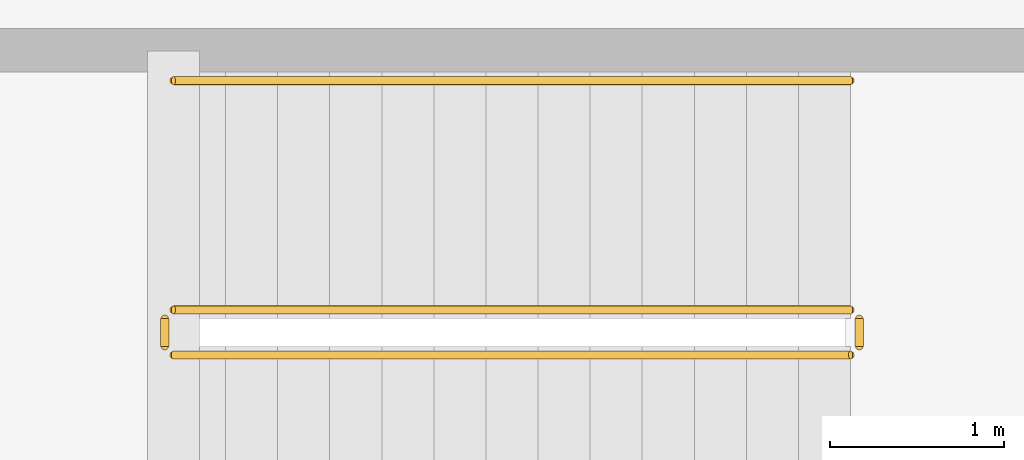
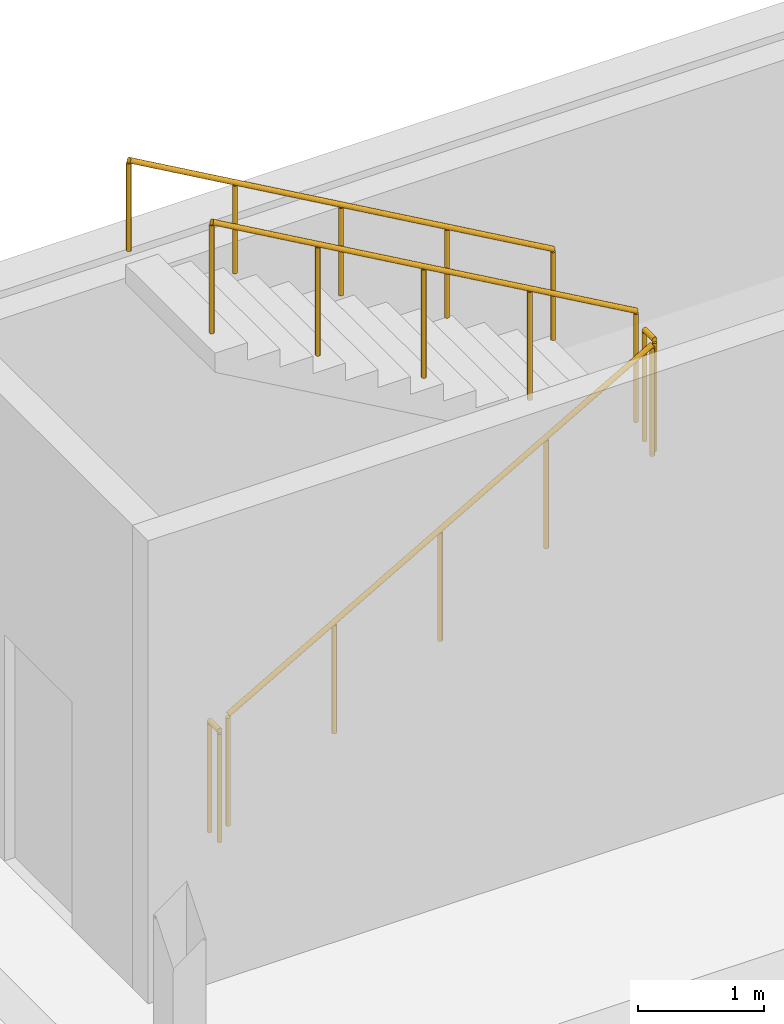
# One storey, part 108 of 125: 5 railings.
"""IFC4 building model written with IfcOpenShell, lengths in metres."""

from ifc_helpers import new_model, si_unit, direction, frame, origin, origin_2d, place, context, subcontext, project, spatial, circle, extrude, material, layer, layer_set, type_object, element, save


model = new_model("IFC4")

# Units and contexts
model_context = context("Model", 3, precision=1e-05, world=origin(), true_north=direction((0.0, 1.0)))
body_context = subcontext(model_context, "Body", "Model", "MODEL_VIEW")
ifc_project = project(units=[si_unit("LENGTHUNIT", "METRE"), si_unit("AREAUNIT", "SQUARE_METRE"), si_unit("VOLUMEUNIT", "CUBIC_METRE"), si_unit("PLANEANGLEUNIT", "RADIAN"), si_unit("MASSUNIT", "GRAM", prefix="KILO")], contexts=[model_context])

# Site, building, storey
site_placement = place(None, origin())
site = spatial("IfcSite", under=ifc_project, at=site_placement, CompositionType="ELEMENT")
building_placement = place(site_placement, origin())
building = spatial("IfcBuilding", under=site, at=building_placement, Name="Dornvale Research Institute", CompositionType="ELEMENT")
storey_placement = place(building_placement, frame((0.0, 0.0, 5.39990234375)))
storey = spatial("IfcBuildingStorey", under=building, at=storey_placement, Name="L01", CompositionType="ELEMENT", Elevation=5.39990234375)

# Railings
ifc_material_1 = material(Name="Galvanized Painted Tubular Steel Stair Rail", Category="steel")
ifc_layer_1 = layer(ifc_material_1, 0.050048828125)
ifc_layer_set_1 = layer_set([ifc_layer_1], Name="Galvanized Painted Tubular Steel Stair Rail")
railing_type_1 = type_object("IfcRailingType", Name="Railing_Stair_Guard_1100", PredefinedType="GUARDRAIL", material=ifc_layer_set_1)
railing_1_placement = place(storey_placement, frame((48.820068359375, 82.969970703125, 0.171630859375)))
element("IfcRailing", 1, at=railing_1_placement, inside=storey, type_object=railing_type_1, Name="L01 ST-8 stair guard 1", PredefinedType="GUARDRAIL", context=body_context, shape_type="SweptSolid", body=[
    extrude(circle(Radius=0.02392578125, at=origin_2d()), frame((0.0, 0.0, 1.076171875), z_axis=(0.868243142124, 0.0, 0.496138938357), x_axis=(0.0, 1.0, 0.0)), (0.0, 0.0, 1.0), 4.49169921875),
    extrude(circle(Radius=0.02099609375, at=origin_2d()), origin(), (0.0, 0.0, 1.0), 1.052001953125),
    extrude(circle(Radius=0.02099609375, at=origin_2d()), frame((0.97509765625, 0.0, 0.55712890625)), (0.0, 0.0, 1.0), 1.052001953125),
    extrude(circle(Radius=0.02099609375, at=origin_2d()), frame((1.949951171875, 0.0, 1.1142578125)), (0.0, 0.0, 1.0), 1.052001953125),
    extrude(circle(Radius=0.02099609375, at=origin_2d()), frame((2.9248046875, 0.0, 1.67138671875)), (0.0, 0.0, 1.0), 1.052001953125),
    extrude(circle(Radius=0.02099609375, at=origin_2d()), frame((3.89990234375, 0.0, 2.228515625)), (0.0, 0.0, 1.0), 1.052001953125),
])
railing_2_placement = place(storey_placement, frame((52.77001953125, 83.02001953125, 2.400146484375)))
element("IfcRailing", 2, at=railing_2_placement, inside=storey, type_object=railing_type_1, Name="L01 ST-8 stair guard 2", PredefinedType="GUARDRAIL", context=body_context, shape_type="SweptSolid", body=[
    extrude(circle(Radius=0.02392578125, at=origin_2d()), frame((0.0, 0.0, 1.076171875), z_axis=(0.0, 1.0, 0.0), x_axis=(-1.0, 0.0, 0.0)), (0.0, 0.0, 1.0), 0.159912109375),
    extrude(circle(Radius=0.02099609375, at=origin_2d()), origin(), (0.0, 0.0, 1.0), 1.052001953125),
    extrude(circle(Radius=0.02099609375, at=origin_2d()), frame((0.0, 0.159912109375, 0.0)), (0.0, 0.0, 1.0), 1.052001953125),
])
railing_3_placement = place(storey_placement, frame((52.719970703125, 83.22998046875, 2.571533203125)))
element("IfcRailing", 3, at=railing_3_placement, inside=storey, type_object=railing_type_1, Name="L01 ST-8 stair guard 3", PredefinedType="GUARDRAIL", context=body_context, shape_type="SweptSolid", body=[
    extrude(circle(Radius=0.02392578125, at=origin_2d()), frame((0.0, 0.0, 1.076171875), z_axis=(-0.868243142124, 0.0, 0.496138938357), x_axis=(0.0, -1.0, 0.0)), (0.0, 0.0, 1.0), 4.49169921875),
    extrude(circle(Radius=0.02099609375, at=origin_2d()), origin(), (0.0, 0.0, 1.0), 1.052001953125),
    extrude(circle(Radius=0.02099609375, at=origin_2d()), frame((-0.97509765625, 0.0, 0.55712890625)), (0.0, 0.0, 1.0), 1.052001953125),
    extrude(circle(Radius=0.02099609375, at=origin_2d()), frame((-1.949951171875, 0.0, 1.1142578125)), (0.0, 0.0, 1.0), 1.052001953125),
    extrude(circle(Radius=0.02099609375, at=origin_2d()), frame((-2.9248046875, 0.0, 1.67138671875)), (0.0, 0.0, 1.0), 1.052001953125),
    extrude(circle(Radius=0.02099609375, at=origin_2d()), frame((-3.89990234375, 0.0, 2.228515625)), (0.0, 0.0, 1.0), 1.052001953125),
])
railing_4_placement = place(storey_placement, frame((48.77001953125, 83.02001953125, 0.0)))
element("IfcRailing", 4, at=railing_4_placement, inside=storey, type_object=railing_type_1, Name="L01 ST-8 stair guard 4", PredefinedType="GUARDRAIL", context=body_context, shape_type="SweptSolid", body=[
    extrude(circle(Radius=0.02392578125, at=origin_2d()), frame((0.0, 0.0, 1.076171875), z_axis=(0.0, 1.0, 0.0), x_axis=(-1.0, 0.0, 0.0)), (0.0, 0.0, 1.0), 0.159912109375),
    extrude(circle(Radius=0.02099609375, at=origin_2d()), origin(), (0.0, 0.0, 1.0), 1.052001953125),
    extrude(circle(Radius=0.02099609375, at=origin_2d()), frame((0.0, 0.159912109375, 0.0)), (0.0, 0.0, 1.0), 1.052001953125),
])
ifc_material_2 = material(Name="Galvanized Painted Tubular Steel Stair Rail", Category="steel")
ifc_layer_2 = layer(ifc_material_2, 0.044921875)
ifc_layer_set_2 = layer_set([ifc_layer_2], Name="Galvanized Painted Tubular Steel Stair Rail")
railing_type_2 = type_object("IfcRailingType", Name="Railing_Stair_Handrail_900", PredefinedType="HANDRAIL", material=ifc_layer_set_2)
railing_5_placement = place(storey_placement, frame((52.719970703125, 84.550048828125, 2.571533203125)))
element("IfcRailing", 5, at=railing_5_placement, inside=storey, type_object=railing_type_2, Name="L01 ST-8 stair handrail 2", PredefinedType="HANDRAIL", context=body_context, shape_type="SweptSolid", body=[
    extrude(circle(Radius=0.02392578125, at=origin_2d()), frame((0.0, 0.0, 0.8759765625), z_axis=(-0.868243142124, 0.0, 0.496138938357), x_axis=(0.0, -1.0, 0.0)), (0.0, 0.0, 1.0), 4.49169921875),
    extrude(circle(Radius=0.02099609375, at=origin_2d()), origin(), (0.0, 0.0, 1.0), 0.851806640625),
    extrude(circle(Radius=0.02099609375, at=origin_2d()), frame((-0.97509765625, 0.0, 0.55712890625)), (0.0, 0.0, 1.0), 0.851806640625),
    extrude(circle(Radius=0.02099609375, at=origin_2d()), frame((-1.949951171875, 0.0, 1.1142578125)), (0.0, 0.0, 1.0), 0.851806640625),
    extrude(circle(Radius=0.02099609375, at=origin_2d()), frame((-2.9248046875, 0.0, 1.67138671875)), (0.0, 0.0, 1.0), 0.851806640625),
    extrude(circle(Radius=0.02099609375, at=origin_2d()), frame((-3.89990234375, 0.0, 2.228515625)), (0.0, 0.0, 1.0), 0.851806640625),
])

save(model, "model.ifc")
